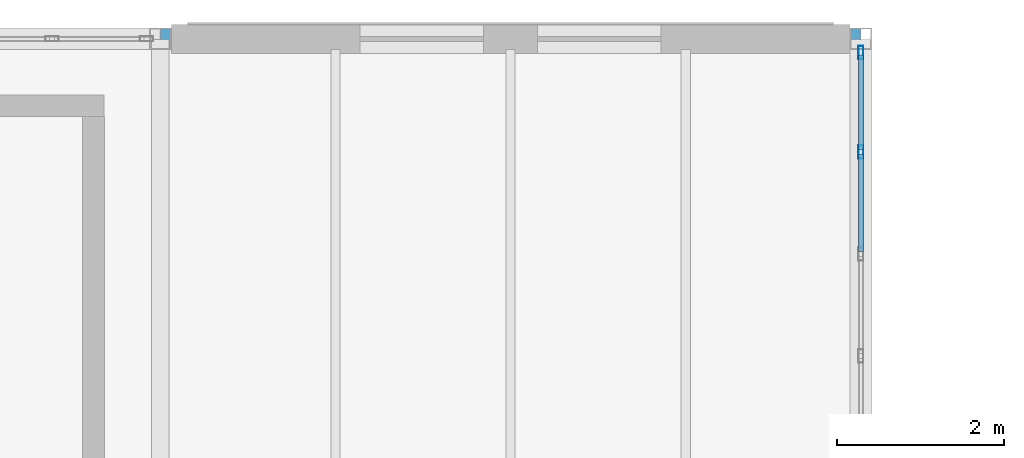
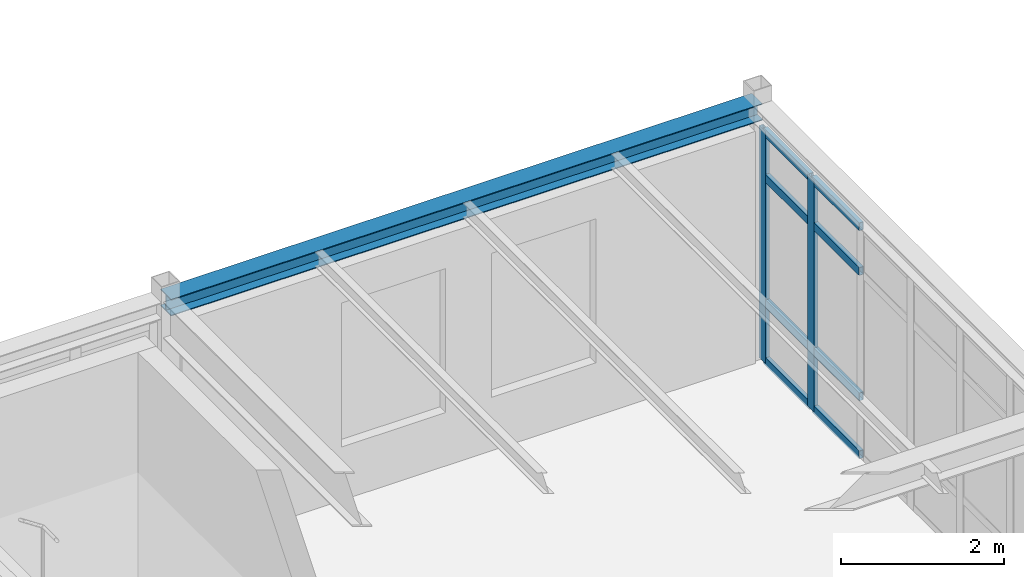
# One storey, part 108 of 189: 10 members, 1 beam, 1 element without a shape of its own.
"""IFC4 building model written with IfcOpenShell, lengths in metres."""

from ifc_helpers import new_model, si_unit, direction, frame, origin, origin_2d, place, context, subcontext, project, spatial, hollow_rectangle, i_section, extrude, material, layer, layer_set, material_profile, profile_set, type_object, element, aggregate, save


model = new_model("IFC4")

# Units and contexts
model_context = context("Model", 3, precision=1e-05, world=origin(), true_north=direction((0.0, 1.0)))
body_context = subcontext(model_context, "Body", "Model", "MODEL_VIEW")
ifc_project = project(units=[si_unit("LENGTHUNIT", "METRE"), si_unit("AREAUNIT", "SQUARE_METRE"), si_unit("VOLUMEUNIT", "CUBIC_METRE"), si_unit("PLANEANGLEUNIT", "RADIAN"), si_unit("MASSUNIT", "GRAM", prefix="KILO")], contexts=[model_context])

# Site, building, storey
site_placement = place(None, origin())
site = spatial("IfcSite", under=ifc_project, at=site_placement, CompositionType="ELEMENT")
building_placement = place(site_placement, origin())
building = spatial("IfcBuilding", under=site, at=building_placement, Name="Montecoro Central Library", CompositionType="ELEMENT")
storey_placement = place(building_placement, frame((0.0, 0.0, 9.179931640625)))
storey = spatial("IfcBuildingStorey", under=building, at=storey_placement, Name="L02", CompositionType="ELEMENT", Elevation=9.179931640625)

# Beam
ifc_material_1 = material(Name="Steel S355", Category="steel")
ifc_material_profile_1 = material_profile(ifc_material_1, i_section(OverallWidth=0.260009765625, OverallDepth=0.25, WebThickness=0.007568359375, FlangeThickness=0.012451171875, at=origin_2d()), Name="HEA 260")
ifc_profile_set_1 = profile_set([ifc_material_profile_1], Name="Steel S355")
beam_type = type_object("IfcBeamType", Name="BM-SP-HEA260", PredefinedType="SPANDREL", material=ifc_profile_set_1)
beam_placement = place(storey_placement, frame((108.405029296875, 119.0, 3.699951171875), z_axis=(1.0, 0.0, 0.0), x_axis=(0.0, 1.0, 0.0)))
element("IfcBeam", 1, at=beam_placement, inside=storey, type_object=beam_type, Name="V2-L02-BX-1415-R", PredefinedType="SPANDREL", context=body_context, shape_type="SweptSolid", body=[
    extrude(i_section(OverallWidth=0.260009765625, OverallDepth=0.25, WebThickness=0.007568359375, FlangeThickness=0.012451171875, at=origin_2d()), origin(), (0.0, 0.0, 1.0), 8.389892578125),
])

# Curtain wall, members
ifc_material_2 = material(Name="Bronze-anodised aluminium and low-E glazing", Category="aluminium")
ifc_layer = layer(ifc_material_2, 0.159912109375)
ifc_layer_set = layer_set([ifc_layer], Name="Bronze-anodised aluminium and low-E glazing")
curtain_wall_type = type_object("IfcCurtainWallType", Name="CWT-015", PredefinedType="NOTDEFINED", material=ifc_layer_set)
curtain_wall_placement = place(storey_placement, origin())
curtain_wall = element("IfcCurtainWall", 2, at=curtain_wall_placement, inside=storey, type_object=curtain_wall_type, Name="V2-L02-CW-E4", PredefinedType="NOTDEFINED")
ifc_material_3 = material(Name="Bronze-anodised aluminium", Category="aluminium")
ifc_material_profile_2 = material_profile(ifc_material_3, hollow_rectangle(XDim=0.06005859375, YDim=0.159912109375, WallThickness=0.00390625, at=origin_2d()), Name="CWM 160x60x4.0")
ifc_profile_set_2 = profile_set([ifc_material_profile_2], Name="Bronze-anodised aluminium")
member_type_1 = type_object("IfcMemberType", Name="CWM-BRZ-60", PredefinedType="MULLION", material=ifc_profile_set_2)
member_1_placement = place(storey_placement, frame((116.800048828125, 117.644775390625, 0.0), z_axis=(0.0, 0.0, 1.0), x_axis=(-1.0, 0.0, 0.0)))
member_1 = element("IfcMember", 3, at=member_1_placement, type_object=member_type_1, Name="CW-015 mullion 6", PredefinedType="MULLION", context=body_context, shape_type="SweptSolid", body=[
    extrude(hollow_rectangle(XDim=0.06005859375, YDim=0.159912109375, WallThickness=0.00390625, at=origin_2d()), origin(), (0.0, 0.0, 1.0), 3.47998046875),
])
member_2_placement = place(storey_placement, frame((116.800048828125, 118.8369140625, 0.0), z_axis=(0.0, 0.0, 1.0), x_axis=(-1.0, 0.0, 0.0)))
member_2 = element("IfcMember", 4, at=member_2_placement, type_object=member_type_1, Name="CW-015 mullion 7", PredefinedType="MULLION", context=body_context, shape_type="SweptSolid", body=[
    extrude(hollow_rectangle(XDim=0.06005859375, YDim=0.159912109375, WallThickness=0.00390625, at=origin_2d()), origin(), (0.0, 0.0, 1.0), 3.47998046875),
])
ifc_material_profile_3 = material_profile(ifc_material_3, hollow_rectangle(XDim=0.06005859375, YDim=0.1201171875, WallThickness=0.00390625, at=origin_2d()), Name="CWT 120x60x4.0")
ifc_profile_set_3 = profile_set([ifc_material_profile_3], Name="Bronze-anodised aluminium")
member_type_2 = type_object("IfcMemberType", Name="CWT-BRZ-60", PredefinedType="USERDEFINED", material=ifc_profile_set_3)
member_3_placement = place(storey_placement, frame((116.800048828125, 116.452392578125, 0.030029296875), z_axis=(0.0, 1.0, 0.0), x_axis=(-1.0, 0.0, 0.0)))
member_3 = element("IfcMember", 5, at=member_3_placement, type_object=member_type_2, Name="CW-015 transom 5.1", ObjectType="TRANSOM", PredefinedType="USERDEFINED", context=body_context, shape_type="SweptSolid", body=[
    extrude(hollow_rectangle(XDim=0.06005859375, YDim=0.1201171875, WallThickness=0.00390625, at=origin_2d()), origin(), (0.0, 0.0, 1.0), 1.162353515625),
])
member_4_placement = place(storey_placement, frame((116.800048828125, 116.452392578125, 0.900146484375), z_axis=(0.0, 1.0, 0.0), x_axis=(-1.0, 0.0, 0.0)))
member_4 = element("IfcMember", 6, at=member_4_placement, type_object=member_type_2, Name="CW-015 transom 5.2", ObjectType="TRANSOM", PredefinedType="USERDEFINED", context=body_context, shape_type="SweptSolid", body=[
    extrude(hollow_rectangle(XDim=0.06005859375, YDim=0.1201171875, WallThickness=0.00390625, at=origin_2d()), origin(), (0.0, 0.0, 1.0), 1.162353515625),
])
member_5_placement = place(storey_placement, frame((116.800048828125, 116.452392578125, 2.780029296875), z_axis=(0.0, 1.0, 0.0), x_axis=(-1.0, 0.0, 0.0)))
member_5 = element("IfcMember", 7, at=member_5_placement, type_object=member_type_2, Name="CW-015 transom 5.3", ObjectType="TRANSOM", PredefinedType="USERDEFINED", context=body_context, shape_type="SweptSolid", body=[
    extrude(hollow_rectangle(XDim=0.06005859375, YDim=0.1201171875, WallThickness=0.00390625, at=origin_2d()), origin(), (0.0, 0.0, 1.0), 1.162353515625),
])
member_6_placement = place(storey_placement, frame((116.800048828125, 116.452392578125, 3.449951171875), z_axis=(0.0, 1.0, 0.0), x_axis=(-1.0, 0.0, 0.0)))
member_6 = element("IfcMember", 8, at=member_6_placement, type_object=member_type_2, Name="CW-015 transom 5.4", ObjectType="TRANSOM", PredefinedType="USERDEFINED", context=body_context, shape_type="SweptSolid", body=[
    extrude(hollow_rectangle(XDim=0.06005859375, YDim=0.1201171875, WallThickness=0.00390625, at=origin_2d()), origin(), (0.0, 0.0, 1.0), 1.162353515625),
])
member_7_placement = place(storey_placement, frame((116.800048828125, 117.674560546875, 0.030029296875), z_axis=(0.0, 1.0, 0.0), x_axis=(-1.0, 0.0, 0.0)))
member_7 = element("IfcMember", 9, at=member_7_placement, type_object=member_type_2, Name="CW-015 transom 6.1", ObjectType="TRANSOM", PredefinedType="USERDEFINED", context=body_context, shape_type="SweptSolid", body=[
    extrude(hollow_rectangle(XDim=0.06005859375, YDim=0.1201171875, WallThickness=0.00390625, at=origin_2d()), origin(), (0.0, 0.0, 1.0), 1.13232421875),
])
member_8_placement = place(storey_placement, frame((116.800048828125, 117.674560546875, 0.900146484375), z_axis=(0.0, 1.0, 0.0), x_axis=(-1.0, 0.0, 0.0)))
member_8 = element("IfcMember", 10, at=member_8_placement, type_object=member_type_2, Name="CW-015 transom 6.2", ObjectType="TRANSOM", PredefinedType="USERDEFINED", context=body_context, shape_type="SweptSolid", body=[
    extrude(hollow_rectangle(XDim=0.06005859375, YDim=0.1201171875, WallThickness=0.00390625, at=origin_2d()), origin(), (0.0, 0.0, 1.0), 1.13232421875),
])
member_9_placement = place(storey_placement, frame((116.800048828125, 117.674560546875, 2.780029296875), z_axis=(0.0, 1.0, 0.0), x_axis=(-1.0, 0.0, 0.0)))
member_9 = element("IfcMember", 11, at=member_9_placement, type_object=member_type_2, Name="CW-015 transom 6.3", ObjectType="TRANSOM", PredefinedType="USERDEFINED", context=body_context, shape_type="SweptSolid", body=[
    extrude(hollow_rectangle(XDim=0.06005859375, YDim=0.1201171875, WallThickness=0.00390625, at=origin_2d()), origin(), (0.0, 0.0, 1.0), 1.13232421875),
])
member_10_placement = place(storey_placement, frame((116.800048828125, 117.674560546875, 3.449951171875), z_axis=(0.0, 1.0, 0.0), x_axis=(-1.0, 0.0, 0.0)))
member_10 = element("IfcMember", 12, at=member_10_placement, type_object=member_type_2, Name="CW-015 transom 6.4", ObjectType="TRANSOM", PredefinedType="USERDEFINED", context=body_context, shape_type="SweptSolid", body=[
    extrude(hollow_rectangle(XDim=0.06005859375, YDim=0.1201171875, WallThickness=0.00390625, at=origin_2d()), origin(), (0.0, 0.0, 1.0), 1.13232421875),
])
aggregate(curtain_wall, [member_1, member_2, member_3, member_4, member_5, member_6, member_7, member_8, member_9, member_10])

save(model, "model.ifc")
